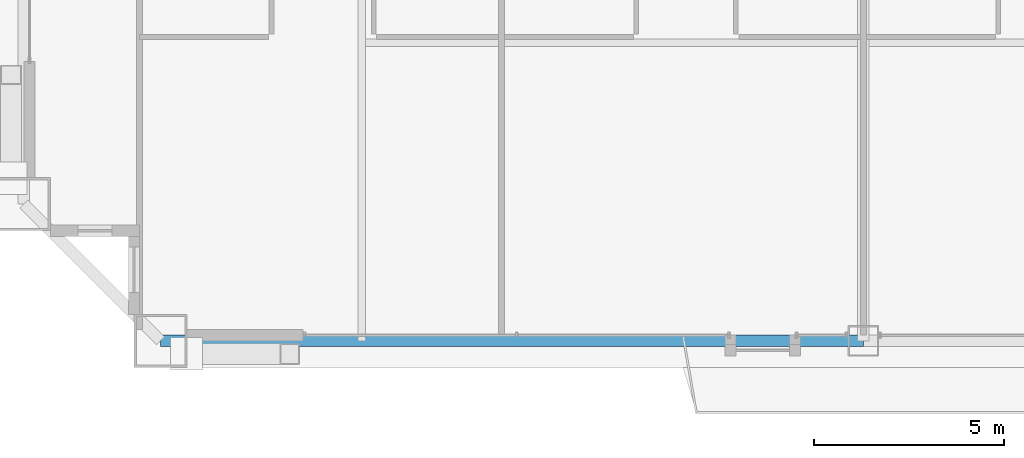
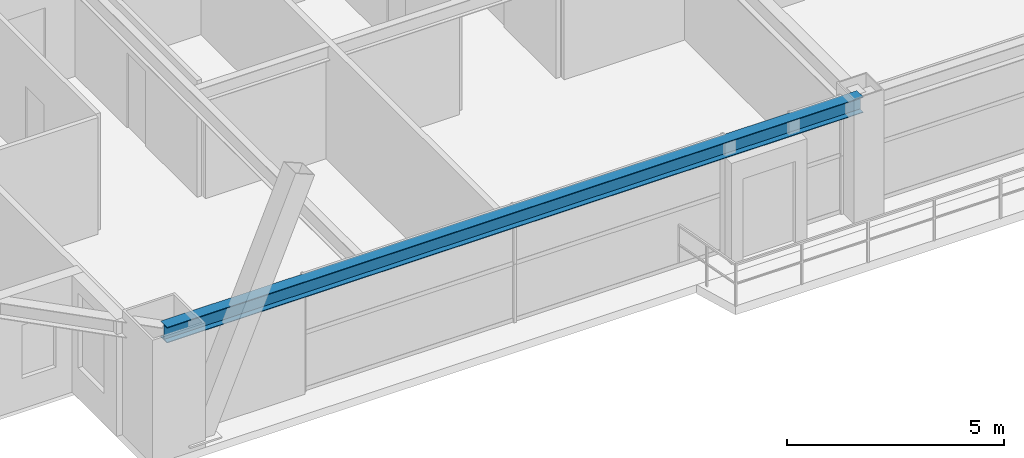
# One storey, part 5 of 42: 1 beam.
"""IFC4 building model written with IfcOpenShell, lengths in metres."""

import ifcopenshell
import ifcopenshell.guid

model = None  # the IFC model being written
_history = None  # IfcOwnerHistory: only IFC2X3 demands one
_inside = {}  # id of a spatial element -> (the spatial element, [elements in it])
_under = {}  # id of a project, library or spatial element -> (it, [spatial elements below it])
_declared = {}  # id of a project -> (the project, [libraries it declares])
_typed = {}  # id of a type object -> (the type object, [elements of that type])
_made_of = {}  # id of a material, layer set ... -> (it, [elements and type objects made of it])


def new_model(schema):
    """Start an empty IFC model of exactly this schema.

    Asked for "IFC4X3", IfcOpenShell would pick the latest addendum, in which some entities
    have other attributes; the version numbers below select the first issue.
    IFC2X3 requires an IfcOwnerHistory on every rooted entity: one is made here for all.
    """
    global model, _history
    if schema == "IFC4X3":
        model = ifcopenshell.file(schema_version=(4, 3, 0, 0))
    else:
        model = ifcopenshell.file(schema=schema)
    _inside.clear()
    _under.clear()
    _declared.clear()
    _typed.clear()
    _made_of.clear()
    _history = None
    if model.schema == "IFC2X3":
        org = make("IfcOrganization", Name="unknown")
        user = make(
            "IfcPersonAndOrganization",
            ThePerson=make("IfcPerson", FamilyName="unknown"),
            TheOrganization=org,
        )
        app = make(
            "IfcApplication",
            ApplicationDeveloper=org,
            Version="unknown",
            ApplicationFullName="unknown",
            ApplicationIdentifier="unknown",
        )
        _history = make(
            "IfcOwnerHistory",
            OwningUser=user,
            OwningApplication=app,
            ChangeAction="ADDED",
            CreationDate=0,
        )
    return model


def make(cls, **values):
    """One entity of the class cls with the attributes given. An attribute that is None is left unset."""
    return model.create_entity(
        cls, **{name: value for name, value in values.items() if value is not None}
    )


def rooted(cls, **values):
    """An entity with a GlobalId (a new one), such as an element, a storey or a relation."""
    return make(cls, GlobalId=ifcopenshell.guid.new(), OwnerHistory=_history, **values)


def si_unit(unit_type, name, prefix=None):
    """IfcSIUnit, for example si_unit("LENGTHUNIT", "METRE", prefix="MILLI")."""
    return make("IfcSIUnit", UnitType=unit_type, Prefix=prefix, Name=name)


def assignment(units):
    """IfcUnitAssignment: the units of a project."""
    return None if units is None else make("IfcUnitAssignment", Units=units)


def point(xyz):
    """IfcCartesianPoint."""
    return None if xyz is None else make("IfcCartesianPoint", Coordinates=xyz)


def direction(xyz):
    """IfcDirection."""
    return None if xyz is None else make("IfcDirection", DirectionRatios=xyz)


def frame(location, z_axis=None, x_axis=None):
    """IfcAxis2Placement3D, a coordinate frame: its origin and axes. An axis left out is left unset."""
    return make(
        "IfcAxis2Placement3D",
        Location=point(location),
        Axis=direction(z_axis),
        RefDirection=direction(x_axis),
    )


def frame_2d(location, x_axis=None):
    """IfcAxis2Placement2D, a coordinate frame in the plane: its origin and x axis."""
    return make(
        "IfcAxis2Placement2D", Location=point(location), RefDirection=direction(x_axis)
    )


def origin():
    """The frame at (0, 0, 0) with its axes left unset."""
    return frame((0.0, 0.0, 0.0))


def origin_2d():
    """The frame at (0, 0) in the plane with its x axis left unset."""
    return frame_2d((0.0, 0.0))


def place(relative_to, where):
    """IfcLocalPlacement: puts the frame where relative to a parent placement (None: the world)."""
    return make(
        "IfcLocalPlacement", PlacementRelTo=relative_to, RelativePlacement=where
    )


def context(
    kind, dimensions, precision=None, world=None, true_north=None, identifier=None
):
    """IfcGeometricRepresentationContext, for example the 3D "Model" context."""
    return make(
        "IfcGeometricRepresentationContext",
        ContextIdentifier=identifier,
        ContextType=kind,
        CoordinateSpaceDimension=dimensions,
        Precision=precision,
        WorldCoordinateSystem=world,
        TrueNorth=true_north,
    )


def subcontext(parent, identifier, kind, view, scale=None):
    """IfcGeometricRepresentationSubContext, for example "Body" below "Model"."""
    return make(
        "IfcGeometricRepresentationSubContext",
        ContextIdentifier=identifier,
        ContextType=kind,
        ParentContext=parent,
        TargetScale=scale,
        TargetView=view,
    )


def project(units=None, contexts=None):
    """IfcProject with its units and contexts."""
    return rooted(
        "IfcProject",
        Name="project",
        RepresentationContexts=contexts,
        UnitsInContext=assignment(units),
    )


def spatial(cls, under=None, at=None, **own):
    """A site, building, storey or space (cls), placed at a placement, below another one or the project."""
    s = rooted(cls, ObjectPlacement=at, **own)
    if under is not None:
        _under.setdefault(under.id(), (under, []))[1].append(s)
    return s


def profile(cls, at=None, kind="AREA", **sizes):
    """A parametric profile (cls). Its sizes go by their IFC names, for example OverallWidth=200.0."""
    return make(cls, ProfileType=kind, Position=at, **sizes)


def i_section(**sizes):
    """IfcIShapeProfileDef."""
    return profile("IfcIShapeProfileDef", **sizes)


def extrude(swept, where, along, depth):
    """IfcExtrudedAreaSolid: the profile swept, set in the frame where, extruded along a direction by depth."""
    return make(
        "IfcExtrudedAreaSolid",
        SweptArea=swept,
        Position=where,
        ExtrudedDirection=direction(along),
        Depth=depth,
    )


def shape(context_of_items, identifier, shape_type, items):
    """IfcShapeRepresentation: the items that make up one representation, for example the "Body"."""
    return make(
        "IfcShapeRepresentation",
        ContextOfItems=context_of_items,
        RepresentationIdentifier=identifier,
        RepresentationType=shape_type,
        Items=items,
    )


def source(mapping_origin, context_of_items, identifier, shape_type, items):
    """IfcRepresentationMap: a shape defined once, which mapped items show again and again."""
    return make(
        "IfcRepresentationMap",
        MappingOrigin=mapping_origin,
        MappedRepresentation=shape(context_of_items, identifier, shape_type, items),
    )


def transform(
    local_origin,
    x_axis=None,
    y_axis=None,
    z_axis=None,
    scale=None,
    scale2=None,
    scale3=None,
    uniform=True,
):
    """IfcCartesianTransformationOperator3D, or its non-uniform kind. x_axis, y_axis, z_axis: its Axis1, 2, 3."""
    if uniform:
        return make(
            "IfcCartesianTransformationOperator3D",
            Axis1=direction(x_axis),
            Axis2=direction(y_axis),
            LocalOrigin=point(local_origin),
            Scale=scale,
            Axis3=direction(z_axis),
        )
    return make(
        "IfcCartesianTransformationOperator3DnonUniform",
        Axis1=direction(x_axis),
        Axis2=direction(y_axis),
        LocalOrigin=point(local_origin),
        Scale=scale,
        Axis3=direction(z_axis),
        Scale2=scale2,
        Scale3=scale3,
    )


def mapped(mapping_source, mapping_target):
    """IfcMappedItem: shows the shape of a source again, moved by a transform."""
    return make(
        "IfcMappedItem", MappingSource=mapping_source, MappingTarget=mapping_target
    )


def material(Name=None, Category=None):
    """IfcMaterial."""
    return make("IfcMaterial", Name=Name, Category=Category)


def material_profile(
    of_material, cross_section, Name=None, Category=None, Priority=None
):
    """IfcMaterialProfile: a cross section and its material."""
    return make(
        "IfcMaterialProfile",
        Name=Name,
        Material=of_material,
        Profile=cross_section,
        Priority=Priority,
        Category=Category,
    )


def profile_set(profiles, Name=None, composite=None):
    """IfcMaterialProfileSet."""
    return make(
        "IfcMaterialProfileSet",
        Name=Name,
        MaterialProfiles=profiles,
        CompositeProfile=composite,
    )


def made_of(thing, what):
    """Note that an element or type object is made of a material, layer set ...; save() writes the relation."""
    if what is not None:
        _made_of.setdefault(what.id(), (what, []))[1].append(thing)
    return thing


def type_object(cls, material=None, **own):
    """A type object (cls), such as IfcWallType, which elements share."""
    return made_of(rooted(cls, **own), material)


def element(
    cls,
    number,
    at=None,
    inside=None,
    cuts=None,
    type_object=None,
    material=None,
    context=None,
    identifier="Body",
    shape_type=None,
    held_by="IfcProductDefinitionShape",
    body=None,
    shapes=None,
    **own,
):
    """One element of the class cls, such as IfcWall. Its Tag is "e" and its number.

    at: its placement. inside: the storey or other place that contains it. cuts: it is an
    opening in that element (IfcRelVoidsElement). A single representation is given by context,
    identifier, shape_type and body (its items); several are given by shapes. held_by: the class
    of the entity that holds the representations. save() writes the other relations.
    """
    e = rooted(cls, Tag="e%d" % number, ObjectPlacement=at, **own)
    if body is not None:
        shapes = [shape(context, identifier, shape_type, body)]
    if shapes is not None:
        e.Representation = make(held_by, Representations=shapes)
    if inside is not None:
        _inside.setdefault(inside.id(), (inside, []))[1].append(e)
    if cuts is not None:
        rooted(
            "IfcRelVoidsElement", RelatingBuildingElement=cuts, RelatedOpeningElement=e
        )
    if type_object is not None:
        _typed.setdefault(type_object.id(), (type_object, []))[1].append(e)
    return made_of(e, material)


def aggregate(whole, parts):
    """IfcRelAggregates: a whole, such as a stair, and the parts it consists of."""
    return rooted("IfcRelAggregates", RelatingObject=whole, RelatedObjects=parts)


def save(model, path):
    """Write the relations noted so far, then the file.

    IfcRelAggregates (storeys below a building ...), IfcRelContainedInSpatialStructure (elements
    in a storey), IfcRelDefinesByType, IfcRelAssociatesMaterial and IfcRelDeclares: one each for
    every whole, place, type object, material and project.
    """
    for whole, parts in _under.values():
        aggregate(whole, parts)
    for where, things in _inside.values():
        rooted(
            "IfcRelContainedInSpatialStructure",
            RelatedElements=things,
            RelatingStructure=where,
        )
    for kind, things in _typed.values():
        rooted("IfcRelDefinesByType", RelatedObjects=things, RelatingType=kind)
    for what, things in _made_of.values():
        rooted("IfcRelAssociatesMaterial", RelatedObjects=things, RelatingMaterial=what)
    for by, libraries in _declared.values():
        rooted("IfcRelDeclares", RelatingContext=by, RelatedDefinitions=libraries)
    model.write(path)


model = new_model("IFC4")

# Units and contexts
model_context = context("Model", 3, precision=1e-05, world=origin(), true_north=direction((0.0, 1.0)))
body_context = subcontext(model_context, "Body", "Model", "MODEL_VIEW")
ifc_project = project(units=[si_unit("LENGTHUNIT", "METRE"), si_unit("AREAUNIT", "SQUARE_METRE"), si_unit("VOLUMEUNIT", "CUBIC_METRE"), si_unit("PLANEANGLEUNIT", "RADIAN"), si_unit("MASSUNIT", "GRAM", prefix="KILO"), si_unit("THERMODYNAMICTEMPERATUREUNIT", "KELVIN"), si_unit("POWERUNIT", "WATT")], contexts=[model_context])

# Site, building, storey
site_placement = place(None, origin())
site = spatial("IfcSite", under=ifc_project, at=site_placement, CompositionType="ELEMENT")
building_placement = place(site_placement, origin())
building = spatial("IfcBuilding", under=site, at=building_placement, Name="Yuzanri Waterfront Tower", CompositionType="ELEMENT")
storey_placement = place(building_placement, frame((0.0, 0.0, 184.5)))
storey = spatial("IfcBuildingStorey", under=building, at=storey_placement, Name="L48", CompositionType="ELEMENT", Elevation=184.5)

# Beam
ifc_material = material(Name="Steel Q355B", Category="steel")
ifc_material_profile = material_profile(ifc_material, i_section(OverallWidth=0.300048828125, OverallDepth=0.43994140625, WebThickness=0.010986328125, FlangeThickness=0.01806640625, at=origin_2d()), Name="HM 440x300x11x18")
ifc_profile_set = profile_set([ifc_material_profile], Name="Steel Q355B")
beam_type = type_object("IfcBeamType", Name="Perimeter Spandrel Q355B HM 440x300", PredefinedType="SPANDREL", material=ifc_profile_set)
shared_shape = source(origin(), body_context, "Body", "SweptSolid", [
    extrude(i_section(OverallWidth=0.300048828125, OverallDepth=0.43994140625, WebThickness=0.010986328125, FlangeThickness=0.01806640625, at=origin_2d()), origin(), (0.0, 0.0, 1.0), 18.5),
])
beam_placement = place(storey_placement, frame((18.5, 3.699951171875, 3.06005859375), z_axis=(1.0, 0.0, 0.0), x_axis=(0.0, 1.0, 0.0)))
element("IfcBeam", 1, at=beam_placement, inside=storey, type_object=beam_type, Name="L48 Perimeter Spandrel S1-S2", PredefinedType="SPANDREL", context=body_context, shape_type="MappedRepresentation", body=[
    mapped(shared_shape, transform((0.0, 0.0, 0.0), scale=1.0)),
])

save(model, "model.ifc")
